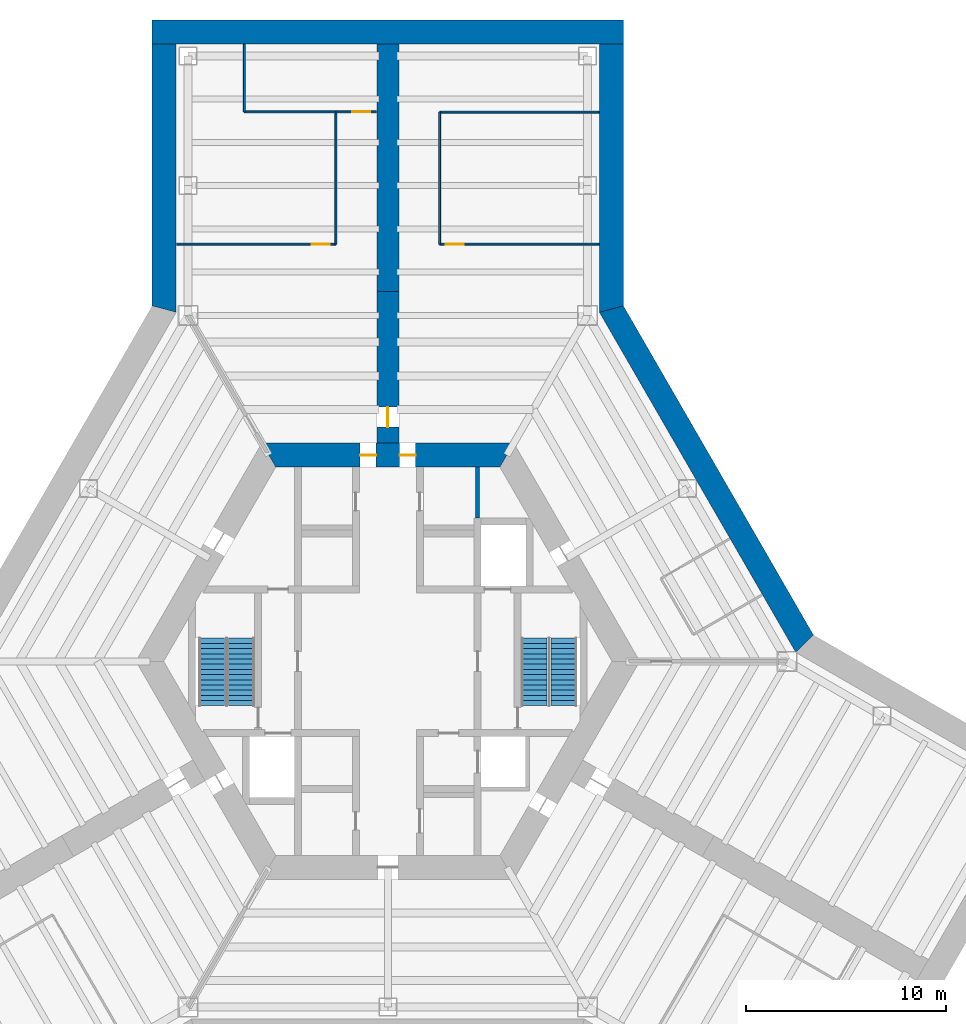
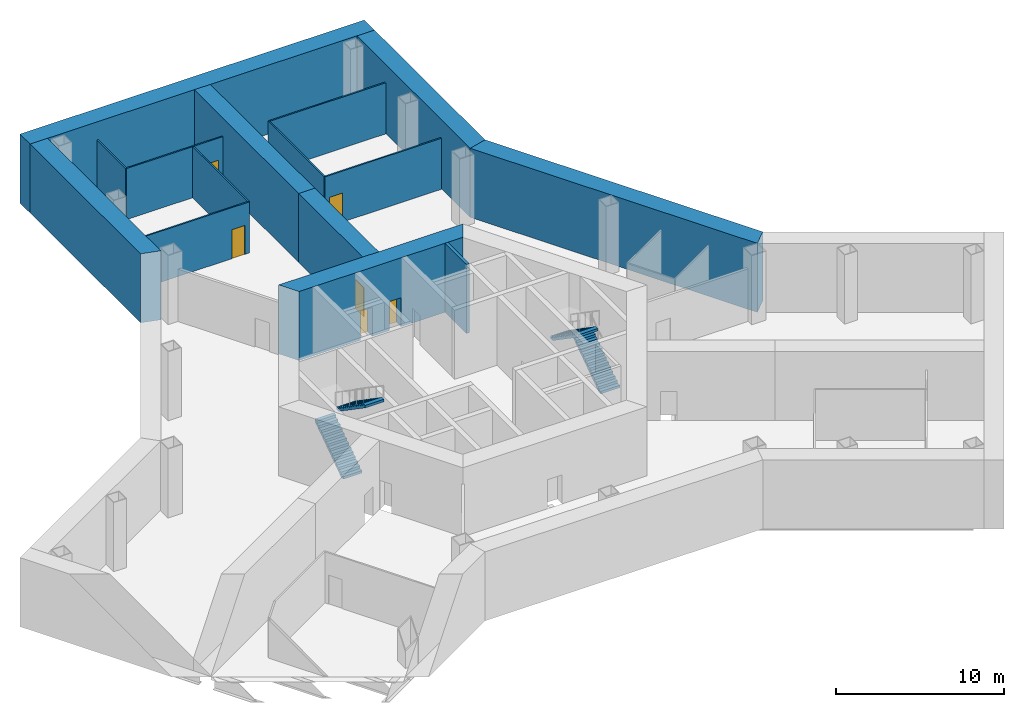
# One storey, part 6 of 7: 16 walls, 6 doors, 4 stair flights, 6 openings, 2 elements without a shape of their own.
"""IFC4 building model written with IfcOpenShell, lengths in metres."""

import ifcopenshell
import ifcopenshell.guid

model = None  # the IFC model being written
_history = None  # IfcOwnerHistory: only IFC2X3 demands one
_inside = {}  # id of a spatial element -> (the spatial element, [elements in it])
_under = {}  # id of a project, library or spatial element -> (it, [spatial elements below it])
_declared = {}  # id of a project -> (the project, [libraries it declares])
_typed = {}  # id of a type object -> (the type object, [elements of that type])
_made_of = {}  # id of a material, layer set ... -> (it, [elements and type objects made of it])


def new_model(schema):
    """Start an empty IFC model of exactly this schema.

    Asked for "IFC4X3", IfcOpenShell would pick the latest addendum, in which some entities
    have other attributes; the version numbers below select the first issue.
    IFC2X3 requires an IfcOwnerHistory on every rooted entity: one is made here for all.
    """
    global model, _history
    if schema == "IFC4X3":
        model = ifcopenshell.file(schema_version=(4, 3, 0, 0))
    else:
        model = ifcopenshell.file(schema=schema)
    _inside.clear()
    _under.clear()
    _declared.clear()
    _typed.clear()
    _made_of.clear()
    _history = None
    if model.schema == "IFC2X3":
        org = make("IfcOrganization", Name="unknown")
        user = make(
            "IfcPersonAndOrganization",
            ThePerson=make("IfcPerson", FamilyName="unknown"),
            TheOrganization=org,
        )
        app = make(
            "IfcApplication",
            ApplicationDeveloper=org,
            Version="unknown",
            ApplicationFullName="unknown",
            ApplicationIdentifier="unknown",
        )
        _history = make(
            "IfcOwnerHistory",
            OwningUser=user,
            OwningApplication=app,
            ChangeAction="ADDED",
            CreationDate=0,
        )
    return model


def make(cls, **values):
    """One entity of the class cls with the attributes given. An attribute that is None is left unset."""
    return model.create_entity(
        cls, **{name: value for name, value in values.items() if value is not None}
    )


def rooted(cls, **values):
    """An entity with a GlobalId (a new one), such as an element, a storey or a relation."""
    return make(cls, GlobalId=ifcopenshell.guid.new(), OwnerHistory=_history, **values)


def si_unit(unit_type, name, prefix=None):
    """IfcSIUnit, for example si_unit("LENGTHUNIT", "METRE", prefix="MILLI")."""
    return make("IfcSIUnit", UnitType=unit_type, Prefix=prefix, Name=name)


def assignment(units):
    """IfcUnitAssignment: the units of a project."""
    return None if units is None else make("IfcUnitAssignment", Units=units)


def point(xyz):
    """IfcCartesianPoint."""
    return None if xyz is None else make("IfcCartesianPoint", Coordinates=xyz)


def direction(xyz):
    """IfcDirection."""
    return None if xyz is None else make("IfcDirection", DirectionRatios=xyz)


def frame(location, z_axis=None, x_axis=None):
    """IfcAxis2Placement3D, a coordinate frame: its origin and axes. An axis left out is left unset."""
    return make(
        "IfcAxis2Placement3D",
        Location=point(location),
        Axis=direction(z_axis),
        RefDirection=direction(x_axis),
    )


def frame_2d(location, x_axis=None):
    """IfcAxis2Placement2D, a coordinate frame in the plane: its origin and x axis."""
    return make(
        "IfcAxis2Placement2D", Location=point(location), RefDirection=direction(x_axis)
    )


def origin():
    """The frame at (0, 0, 0) with its axes left unset."""
    return frame((0.0, 0.0, 0.0))


def place(relative_to, where):
    """IfcLocalPlacement: puts the frame where relative to a parent placement (None: the world)."""
    return make(
        "IfcLocalPlacement", PlacementRelTo=relative_to, RelativePlacement=where
    )


def context(
    kind, dimensions, precision=None, world=None, true_north=None, identifier=None
):
    """IfcGeometricRepresentationContext, for example the 3D "Model" context."""
    return make(
        "IfcGeometricRepresentationContext",
        ContextIdentifier=identifier,
        ContextType=kind,
        CoordinateSpaceDimension=dimensions,
        Precision=precision,
        WorldCoordinateSystem=world,
        TrueNorth=true_north,
    )


def subcontext(parent, identifier, kind, view, scale=None):
    """IfcGeometricRepresentationSubContext, for example "Body" below "Model"."""
    return make(
        "IfcGeometricRepresentationSubContext",
        ContextIdentifier=identifier,
        ContextType=kind,
        ParentContext=parent,
        TargetScale=scale,
        TargetView=view,
    )


def project(units=None, contexts=None):
    """IfcProject with its units and contexts."""
    return rooted(
        "IfcProject",
        Name="project",
        RepresentationContexts=contexts,
        UnitsInContext=assignment(units),
    )


def spatial(cls, under=None, at=None, **own):
    """A site, building, storey or space (cls), placed at a placement, below another one or the project."""
    s = rooted(cls, ObjectPlacement=at, **own)
    if under is not None:
        _under.setdefault(under.id(), (under, []))[1].append(s)
    return s


def polyline(points):
    """IfcPolyline through the points."""
    return make("IfcPolyline", Points=[point(p) for p in points])


def profile(cls, at=None, kind="AREA", **sizes):
    """A parametric profile (cls). Its sizes go by their IFC names, for example OverallWidth=200.0."""
    return make(cls, ProfileType=kind, Position=at, **sizes)


def rectangle(**sizes):
    """IfcRectangleProfileDef."""
    return profile("IfcRectangleProfileDef", **sizes)


def outline(outer, holes=None, kind="AREA"):
    """IfcArbitraryClosedProfileDef: a profile drawn as a closed curve; with holes, ...WithVoids."""
    if holes is None:
        return make("IfcArbitraryClosedProfileDef", ProfileType=kind, OuterCurve=outer)
    return make(
        "IfcArbitraryProfileDefWithVoids",
        ProfileType=kind,
        OuterCurve=outer,
        InnerCurves=holes,
    )


def extrude(swept, where, along, depth):
    """IfcExtrudedAreaSolid: the profile swept, set in the frame where, extruded along a direction by depth."""
    return make(
        "IfcExtrudedAreaSolid",
        SweptArea=swept,
        Position=where,
        ExtrudedDirection=direction(along),
        Depth=depth,
    )


def shape(context_of_items, identifier, shape_type, items):
    """IfcShapeRepresentation: the items that make up one representation, for example the "Body"."""
    return make(
        "IfcShapeRepresentation",
        ContextOfItems=context_of_items,
        RepresentationIdentifier=identifier,
        RepresentationType=shape_type,
        Items=items,
    )


def material(Name=None, Category=None):
    """IfcMaterial."""
    return make("IfcMaterial", Name=Name, Category=Category)


def layer(
    of_material, thickness, ventilated=None, Name=None, Category=None, Priority=None
):
    """IfcMaterialLayer: one layer of a wall or slab, of a material (None: an air gap)."""
    return make(
        "IfcMaterialLayer",
        Material=of_material,
        LayerThickness=thickness,
        IsVentilated=ventilated,
        Name=Name,
        Category=Category,
        Priority=Priority,
    )


def layer_set(layers, Name=None):
    """IfcMaterialLayerSet."""
    return make("IfcMaterialLayerSet", MaterialLayers=layers, LayerSetName=Name)


def made_of(thing, what):
    """Note that an element or type object is made of a material, layer set ...; save() writes the relation."""
    if what is not None:
        _made_of.setdefault(what.id(), (what, []))[1].append(thing)
    return thing


def type_object(cls, material=None, **own):
    """A type object (cls), such as IfcWallType, which elements share."""
    return made_of(rooted(cls, **own), material)


def element(
    cls,
    number,
    at=None,
    inside=None,
    cuts=None,
    type_object=None,
    material=None,
    context=None,
    identifier="Body",
    shape_type=None,
    held_by="IfcProductDefinitionShape",
    body=None,
    shapes=None,
    **own,
):
    """One element of the class cls, such as IfcWall. Its Tag is "e" and its number.

    at: its placement. inside: the storey or other place that contains it. cuts: it is an
    opening in that element (IfcRelVoidsElement). A single representation is given by context,
    identifier, shape_type and body (its items); several are given by shapes. held_by: the class
    of the entity that holds the representations. save() writes the other relations.
    """
    e = rooted(cls, Tag="e%d" % number, ObjectPlacement=at, **own)
    if body is not None:
        shapes = [shape(context, identifier, shape_type, body)]
    if shapes is not None:
        e.Representation = make(held_by, Representations=shapes)
    if inside is not None:
        _inside.setdefault(inside.id(), (inside, []))[1].append(e)
    if cuts is not None:
        rooted(
            "IfcRelVoidsElement", RelatingBuildingElement=cuts, RelatedOpeningElement=e
        )
    if type_object is not None:
        _typed.setdefault(type_object.id(), (type_object, []))[1].append(e)
    return made_of(e, material)


def fill(opening, filler):
    """IfcRelFillsElement: the door or window that sits in an opening."""
    return rooted(
        "IfcRelFillsElement",
        RelatingOpeningElement=opening,
        RelatedBuildingElement=filler,
    )


def aggregate(whole, parts):
    """IfcRelAggregates: a whole, such as a stair, and the parts it consists of."""
    return rooted("IfcRelAggregates", RelatingObject=whole, RelatedObjects=parts)


def save(model, path):
    """Write the relations noted so far, then the file.

    IfcRelAggregates (storeys below a building ...), IfcRelContainedInSpatialStructure (elements
    in a storey), IfcRelDefinesByType, IfcRelAssociatesMaterial and IfcRelDeclares: one each for
    every whole, place, type object, material and project.
    """
    for whole, parts in _under.values():
        aggregate(whole, parts)
    for where, things in _inside.values():
        rooted(
            "IfcRelContainedInSpatialStructure",
            RelatedElements=things,
            RelatingStructure=where,
        )
    for kind, things in _typed.values():
        rooted("IfcRelDefinesByType", RelatedObjects=things, RelatingType=kind)
    for what, things in _made_of.values():
        rooted("IfcRelAssociatesMaterial", RelatedObjects=things, RelatingMaterial=what)
    for by, libraries in _declared.values():
        rooted("IfcRelDeclares", RelatingContext=by, RelatedDefinitions=libraries)
    model.write(path)


model = new_model("IFC4")

# Units and contexts
model_context = context("Model", 3, precision=1e-05, world=origin(), true_north=direction((0.0, 1.0)))
body_context = subcontext(model_context, "Body", "Model", "MODEL_VIEW")
ifc_project = project(units=[si_unit("LENGTHUNIT", "METRE"), si_unit("AREAUNIT", "SQUARE_METRE"), si_unit("VOLUMEUNIT", "CUBIC_METRE"), si_unit("PLANEANGLEUNIT", "RADIAN"), si_unit("MASSUNIT", "GRAM", prefix="KILO")], contexts=[model_context])

# Site, building, storey
site_placement = place(None, origin())
site = spatial("IfcSite", under=ifc_project, at=site_placement, CompositionType="ELEMENT")
building_placement = place(site_placement, origin())
building = spatial("IfcBuilding", under=site, at=building_placement, Name="Kasaneha Research Tower", CompositionType="ELEMENT")
storey_placement = place(building_placement, frame((0.0, 0.0, -5.0)))
storey = spatial("IfcBuildingStorey", under=building, at=storey_placement, Name="B1", CompositionType="ELEMENT", Elevation=-5.0)

# Walls
ifc_material_1 = material(Name="Concrete Fc60", Category="concrete")
ifc_layer_1 = layer(ifc_material_1, 1.199951171875)
ifc_layer_set_1 = layer_set([ifc_layer_1], Name="Basement retaining wall 1200 Fc60")
wall_type_1 = type_object("IfcWallType", Name="Basement retaining wall 1200 Fc60", PredefinedType="SOLIDWALL", material=ifc_layer_set_1)
wall_1_placement = place(storey_placement, frame((-11.199951171875, 17.64208984375, 0.0), z_axis=(0.0, 0.0, 1.0), x_axis=(0.0, 1.0, 0.0)))
element("IfcWall", 1, at=wall_1_placement, inside=storey, type_object=wall_type_1, Name="Retaining wall 3 B1", PredefinedType="SOLIDWALL", context=body_context, shape_type="SweptSolid", body=[
    extrude(outline(polyline([(-0.160888671875, -0.60009765625), (13.2783203125, -0.60009765625), (13.2783203125, 0.60009765625), (0.160888671875, 0.60009765625), (-0.160888671875, -0.60009765625)])), origin(), (0.0, 0.0, 1.0), 5.0),
])
wall_2_placement = place(storey_placement, frame((-11.800048828125, 31.5205078125, 0.0), z_axis=(0.0, 0.0, 1.0), x_axis=(1.0, 0.0, 0.0)))
element("IfcWall", 2, at=wall_2_placement, inside=storey, type_object=wall_type_1, Name="Retaining wall 4 B1", PredefinedType="SOLIDWALL", context=body_context, shape_type="SweptSolid", body=[
    extrude(rectangle(XDim=23.60009765625, YDim=1.199951171875, at=frame_2d((11.800048828125, 0.0))), origin(), (0.0, 0.0, 1.0), 5.0),
])
wall_3_placement = place(storey_placement, frame((11.199951171875, 30.92041015625, 0.0), z_axis=(0.0, 0.0, 1.0), x_axis=(0.0, -1.0, 0.0)))
element("IfcWall", 3, at=wall_3_placement, inside=storey, type_object=wall_type_1, Name="Retaining wall 5 B1", PredefinedType="SOLIDWALL", context=body_context, shape_type="SweptSolid", body=[
    extrude(outline(polyline([(0.0, -0.60009765625), (13.439208984375, -0.60009765625), (13.117431640625, 0.60009765625), (0.0, 0.60009765625), (0.0, -0.60009765625)])), origin(), (0.0, 0.0, 1.0), 5.0),
])
wall_4_placement = place(storey_placement, frame((11.199951171875, 17.64208984375, 0.0), z_axis=(0.0, 0.0, 1.0), x_axis=(0.499998307868, -0.866026380735, 0.0)))
element("IfcWall", 4, at=wall_4_placement, inside=storey, type_object=wall_type_1, Name="Retaining wall 6 B1", PredefinedType="SOLIDWALL", context=body_context, shape_type="SweptSolid", body=[
    extrude(outline(polyline([(-0.160888671875, -0.60009765625), (19.517822265625, -0.60009765625), (19.196044921875, 0.60009765625), (0.160888671875, 0.60009765625), (-0.160888671875, -0.60009765625)])), origin(), (0.0, 0.0, 1.0), 5.0),
])

# Wall, openings, doors
ifc_material_2 = material(Name="Concrete Fc100", Category="concrete")
ifc_layer_2 = layer(ifc_material_2, 1.199951171875)
ifc_layer_set_2 = layer_set([ifc_layer_2], Name="Core wall 1200 Fc100")
wall_type_2 = type_object("IfcWallType", Name="Core wall 1200 Fc100", PredefinedType="SHEAR", material=ifc_layer_set_2)
wall_5_placement = place(storey_placement, frame((5.961181640625, 10.324951171875, 0.0), z_axis=(0.0, 0.0, 1.0), x_axis=(-1.0, 0.0, 0.0)))
wall_5 = element("IfcWall", 5, at=wall_5_placement, inside=storey, type_object=wall_type_2, Name="Core wall 090 B1", PredefinedType="SHEAR", context=body_context, shape_type="SweptSolid", body=[
    extrude(outline(polyline([(-0.346435546875, -0.60009765625), (4.57373046875, -0.60009765625), (5.373779296875, -0.60009765625), (6.548583984375, -0.60009765625), (7.3486328125, -0.60009765625), (12.268798828125, -0.60009765625), (11.575927734375, 0.60009765625), (7.3486328125, 0.60009765625), (6.548583984375, 0.60009765625), (5.373779296875, 0.60009765625), (4.57373046875, 0.60009765625), (0.346435546875, 0.60009765625), (-0.346435546875, -0.60009765625)])), origin(), (0.0, 0.0, 1.0), 5.0),
])
opening_1_placement = place(wall_5_placement, frame((6.548583984375, 0.0, 0.0)))
opening_1 = element("IfcOpeningElement", 6, at=opening_1_placement, cuts=wall_5, Name="Opening B1-D01", PredefinedType="OPENING", context=body_context, shape_type="SweptSolid", body=[
    extrude(rectangle(XDim=0.800048828125, YDim=2.10009765625, at=frame_2d((0.39990234375, 1.050048828125))), frame((0.0, 0.60986328125, 0.0), z_axis=(0.0, -1.0, 0.0), x_axis=(1.0, 0.0, 0.0)), (0.0, 0.0, 1.0), 1.219970703125),
])
opening_2_placement = place(wall_5_placement, frame((4.57373046875, 0.0, 0.0)))
opening_2 = element("IfcOpeningElement", 7, at=opening_2_placement, cuts=wall_5, Name="Opening B1-D02", PredefinedType="OPENING", context=body_context, shape_type="SweptSolid", body=[
    extrude(rectangle(XDim=0.800048828125, YDim=2.10009765625, at=frame_2d((0.39990234375, 1.050048828125))), frame((0.0, 0.60986328125, 0.0), z_axis=(0.0, -1.0, 0.0), x_axis=(1.0, 0.0, 0.0)), (0.0, 0.0, 1.0), 1.219970703125),
])
ifc_material_3 = material(Name="Steel", Category="steel")
door_type_1 = type_object("IfcDoorType", Name="Core service door FD20 800x2100", OperationType="NOTDEFINED", PredefinedType="DOOR", material=ifc_material_3)
door_1_placement = place(opening_1_placement, origin())
door_1 = element("IfcDoor", 8, at=door_1_placement, inside=storey, type_object=door_type_1, Name="Core door north 1 B1-D01", OperationType="SINGLE_SWING_RIGHT", OverallHeight=2.10009765625, OverallWidth=0.800048828125, PredefinedType="DOOR", context=body_context, shape_type="SweptSolid", body=[
    extrude(rectangle(XDim=0.800048828125, YDim=2.10009765625, at=frame_2d((0.39990234375, 1.050048828125))), frame((0.0, 0.02490234375, 0.0), z_axis=(0.0, -1.0, 0.0), x_axis=(1.0, 0.0, 0.0)), (0.0, 0.0, 1.0), 0.050048828125),
])
fill(opening_1, door_1)
door_2_placement = place(opening_2_placement, origin())
door_2 = element("IfcDoor", 9, at=door_2_placement, inside=storey, type_object=door_type_1, Name="Core door north 2 B1-D02", OperationType="SINGLE_SWING_LEFT", OverallHeight=2.10009765625, OverallWidth=0.800048828125, PredefinedType="DOOR", context=body_context, shape_type="SweptSolid", body=[
    extrude(rectangle(XDim=0.800048828125, YDim=2.10009765625, at=frame_2d((0.39990234375, 1.050048828125))), frame((0.0, 0.02490234375, 0.0), z_axis=(0.0, -1.0, 0.0), x_axis=(1.0, 0.0, 0.0)), (0.0, 0.0, 1.0), 0.050048828125),
])
fill(opening_2, door_2)

# Walls
ifc_material_4 = material(Name="Gypsum board on steel studs, one layer each side", Category="steel")
ifc_layer_3 = layer(ifc_material_4, 0.10009765625)
ifc_layer_set_3 = layer_set([ifc_layer_3], Name="Office partition 100")
wall_type_3 = type_object("IfcWallType", Name="Office partition 100", PredefinedType="PARTITIONING", material=ifc_layer_set_3)
wall_6_placement = place(storey_placement, frame((2.60009765625, 20.89111328125, 0.0), z_axis=(0.0, 0.0, 1.0), x_axis=(0.0, 1.0, 0.0)))
element("IfcWall", 10, at=wall_6_placement, inside=storey, type_object=wall_type_3, Name="Office partition FAE01 B1", PredefinedType="PARTITIONING", context=body_context, shape_type="SweptSolid", body=[
    extrude(rectangle(XDim=6.61962890625, YDim=0.10009765625, at=frame_2d((3.309814453125, 0.0))), origin(), (0.0, 0.0, 1.0), 3.699951171875),
])
wall_7_placement = place(storey_placement, frame((2.60009765625, 27.5107421875, 0.0), z_axis=(0.0, 0.0, 1.0), x_axis=(1.0, 0.0, 0.0)))
element("IfcWall", 11, at=wall_7_placement, inside=storey, type_object=wall_type_3, Name="Office partition FAE02 B1", PredefinedType="PARTITIONING", context=body_context, shape_type="SweptSolid", body=[
    extrude(rectangle(XDim=7.97998046875, YDim=0.10009765625, at=frame_2d((3.989990234375, 0.0))), origin(), (0.0, 0.0, 1.0), 3.699951171875),
])

# Wall, opening, door
wall_8_placement = place(storey_placement, frame((10.580078125, 20.89111328125, 0.0), z_axis=(0.0, 0.0, 1.0), x_axis=(-1.0, 0.0, 0.0)))
wall_8 = element("IfcWall", 12, at=wall_8_placement, inside=storey, type_object=wall_type_3, Name="Office partition FAE03 B1", PredefinedType="PARTITIONING", context=body_context, shape_type="SweptSolid", body=[
    extrude(rectangle(XDim=7.97998046875, YDim=0.10009765625, at=frame_2d((3.989990234375, 0.0))), origin(), (0.0, 0.0, 1.0), 3.699951171875),
])
opening_3_placement = place(wall_8_placement, frame((6.780029296875, 0.0, 0.0)))
opening_3 = element("IfcOpeningElement", 13, at=opening_3_placement, cuts=wall_8, Name="Opening B1-D23", PredefinedType="OPENING", context=body_context, shape_type="SweptSolid", body=[
    extrude(rectangle(XDim=0.89990234375, YDim=2.10009765625, at=frame_2d((0.449951171875, 1.050048828125))), frame((0.0, 0.06005859375, 0.0), z_axis=(0.0, -1.0, 0.0), x_axis=(1.0, 0.0, 0.0)), (0.0, 0.0, 1.0), 0.1201171875),
])
ifc_material_5 = material(Name="Timber veneer", Category="wood")
door_type_2 = type_object("IfcDoorType", Name="Office door 900x2100", OperationType="SINGLE_SWING_LEFT", PredefinedType="DOOR", material=ifc_material_5)
door_3_placement = place(opening_3_placement, origin())
door_3 = element("IfcDoor", 14, at=door_3_placement, inside=storey, type_object=door_type_2, Name="Refuse store door B1-D23", OperationType="SINGLE_SWING_RIGHT", OverallHeight=2.10009765625, OverallWidth=0.89990234375, PredefinedType="DOOR", context=body_context, shape_type="SweptSolid", body=[
    extrude(rectangle(XDim=0.89990234375, YDim=2.10009765625, at=frame_2d((0.449951171875, 1.050048828125))), frame((0.0, 0.02490234375, 0.0), z_axis=(0.0, -1.0, 0.0), x_axis=(1.0, 0.0, 0.0)), (0.0, 0.0, 1.0), 0.050048828125),
])
fill(opening_3, door_3)

# Walls
wall_9_placement = place(storey_placement, frame((-7.18359375, 30.91943359375, 0.0), z_axis=(0.0, 0.0, 1.0), x_axis=(7.182876e-05, -0.99999999742, 0.0)))
element("IfcWall", 15, at=wall_9_placement, inside=storey, type_object=wall_type_3, Name="Office partition FAW01 B1", PredefinedType="PARTITIONING", context=body_context, shape_type="SweptSolid", body=[
    extrude(rectangle(XDim=3.39892578125, YDim=0.10009765625, at=frame_2d((1.699462890625, 0.0))), origin(), (0.0, 0.0, 1.0), 3.699951171875),
])
wall_10_placement = place(storey_placement, frame((-7.183349609375, 27.5205078125, 0.0), z_axis=(0.0, 0.0, 1.0), x_axis=(0.999999374603, -0.00111838882, 0.0)))
element("IfcWall", 16, at=wall_10_placement, inside=storey, type_object=wall_type_3, Name="Office partition FAW02 B1", PredefinedType="PARTITIONING", context=body_context, shape_type="SweptSolid", body=[
    extrude(rectangle(XDim=4.584228515625, YDim=0.10009765625, at=frame_2d((2.2919921875, 0.0))), origin(), (0.0, 0.0, 1.0), 3.699951171875),
])
wall_11_placement = place(storey_placement, frame((-2.60400390625, 27.520263671875, 0.0), z_axis=(0.0, 0.0, 1.0), x_axis=(0.000589253387, -0.99999982639, 0.0)))
element("IfcWall", 17, at=wall_11_placement, inside=storey, type_object=wall_type_3, Name="Office partition FAW03 B1", PredefinedType="PARTITIONING", context=body_context, shape_type="SweptSolid", body=[
    extrude(rectangle(XDim=6.629150390625, YDim=0.10009765625, at=frame_2d((3.314453125, 0.0))), origin(), (0.0, 0.0, 1.0), 3.699951171875),
])

# Wall, opening, door
wall_12_placement = place(storey_placement, frame((-2.60009765625, 20.89111328125, 0.0), z_axis=(0.0, 0.0, 1.0), x_axis=(-1.0, 0.0, 0.0)))
wall_12 = element("IfcWall", 18, at=wall_12_placement, inside=storey, type_object=wall_type_3, Name="Office partition FAW04 B1", PredefinedType="PARTITIONING", context=body_context, shape_type="SweptSolid", body=[
    extrude(rectangle(XDim=7.97998046875, YDim=0.10009765625, at=frame_2d((3.989990234375, 0.0))), origin(), (0.0, 0.0, 1.0), 3.699951171875),
])
opening_4_placement = place(wall_12_placement, frame((0.300048828125, 0.0, 0.0)))
opening_4 = element("IfcOpeningElement", 19, at=opening_4_placement, cuts=wall_12, Name="Opening B1-D25", PredefinedType="OPENING", context=body_context, shape_type="SweptSolid", body=[
    extrude(rectangle(XDim=0.89990234375, YDim=2.10009765625, at=frame_2d((0.449951171875, 1.050048828125))), frame((0.0, 0.06005859375, 0.0), z_axis=(0.0, -1.0, 0.0), x_axis=(1.0, 0.0, 0.0)), (0.0, 0.0, 1.0), 0.1201171875),
])
door_4_placement = place(opening_4_placement, origin())
door_4 = element("IfcDoor", 20, at=door_4_placement, inside=storey, type_object=door_type_2, Name="Bicycle store door B1-D25", OperationType="SINGLE_SWING_LEFT", OverallHeight=2.10009765625, OverallWidth=0.89990234375, PredefinedType="DOOR", context=body_context, shape_type="SweptSolid", body=[
    extrude(rectangle(XDim=0.89990234375, YDim=2.10009765625, at=frame_2d((0.449951171875, 1.050048828125))), frame((0.0, 0.02490234375, 0.0), z_axis=(0.0, -1.0, 0.0), x_axis=(1.0, 0.0, 0.0)), (0.0, 0.0, 1.0), 0.050048828125),
])
fill(opening_4, door_4)

wall_13_placement = place(storey_placement, frame((-0.570068359375, 27.5205078125, 0.0), z_axis=(0.0, 0.0, 1.0), x_axis=(-1.0, 0.0, 0.0)))
wall_13 = element("IfcWall", 21, at=wall_13_placement, inside=storey, type_object=wall_type_3, Name="Office partition FAW05 B1", PredefinedType="PARTITIONING", context=body_context, shape_type="SweptSolid", body=[
    extrude(rectangle(XDim=2.033935546875, YDim=0.10009765625, at=frame_2d((1.01708984375, 0.0))), origin(), (0.0, 0.0, 1.0), 3.699951171875),
])
opening_5_placement = place(wall_13_placement, frame((0.300048828125, 0.0, 0.0)))
opening_5 = element("IfcOpeningElement", 22, at=opening_5_placement, cuts=wall_13, Name="Opening B1-D26", PredefinedType="OPENING", context=body_context, shape_type="SweptSolid", body=[
    extrude(rectangle(XDim=0.89990234375, YDim=2.10009765625, at=frame_2d((0.449951171875, 1.050048828125))), frame((0.0, 0.06005859375, 0.0), z_axis=(0.0, -1.0, 0.0), x_axis=(1.0, 0.0, 0.0)), (0.0, 0.0, 1.0), 0.1201171875),
])
door_5_placement = place(opening_5_placement, origin())
door_5 = element("IfcDoor", 23, at=door_5_placement, inside=storey, type_object=door_type_2, Name="Locker room door B1-D26", OperationType="SINGLE_SWING_LEFT", OverallHeight=2.10009765625, OverallWidth=0.89990234375, PredefinedType="DOOR", context=body_context, shape_type="SweptSolid", body=[
    extrude(rectangle(XDim=0.89990234375, YDim=2.10009765625, at=frame_2d((0.449951171875, 1.050048828125))), frame((0.0, 0.02490234375, 0.0), z_axis=(0.0, -1.0, 0.0), x_axis=(1.0, 0.0, 0.0)), (0.0, 0.0, 1.0), 0.050048828125),
])
fill(opening_5, door_5)

# Wall
ifc_material_6 = material(Name="Concrete block", Category="concrete")
ifc_layer_4 = layer(ifc_material_6, 0.199951171875)
ifc_layer_set_4 = layer_set([ifc_layer_4], Name="Riser enclosure wall 200")
wall_type_4 = type_object("IfcWallType", Name="Riser enclosure wall 200", PredefinedType="STANDARD", material=ifc_layer_set_4)
wall_14_placement = place(storey_placement, frame((4.5, 7.175048828125, 0.0), z_axis=(0.0, 0.0, 1.0), x_axis=(0.0, 1.0, 0.0)))
element("IfcWall", 24, at=wall_14_placement, inside=storey, type_object=wall_type_4, Name="Riser enclosure wall B1", PredefinedType="STANDARD", context=body_context, shape_type="SweptSolid", body=[
    extrude(rectangle(XDim=2.550048828125, YDim=0.199951171875, at=frame_2d((1.27490234375, 0.0))), origin(), (0.0, 0.0, 1.0), 5.0),
])

# Wall, opening, door
ifc_material_7 = material(Name="Concrete Fc100", Category="concrete")
ifc_layer_5 = layer(ifc_material_7, 1.10009765625)
ifc_layer_set_5 = layer_set([ifc_layer_5], Name="Spine wall 1100 Fc100")
wall_type_5 = type_object("IfcWallType", Name="Spine wall 1100 Fc100", PredefinedType="SHEAR", material=ifc_layer_set_5)
wall_15_placement = place(storey_placement, frame((0.0, 10.925048828125, 0.0), z_axis=(0.0, 0.0, 1.0), x_axis=(0.0, 1.0, 0.0)))
wall_15 = element("IfcWall", 25, at=wall_15_placement, inside=storey, type_object=wall_type_5, Name="Spine wall A B1", PredefinedType="SHEAR", context=body_context, shape_type="SweptSolid", body=[
    extrude(rectangle(XDim=7.595458984375, YDim=1.10009765625, at=frame_2d((3.7978515625, 0.0))), origin(), (0.0, 0.0, 1.0), 5.0),
])
opening_6_placement = place(wall_15_placement, frame((0.800048828125, 0.0, 0.0)))
opening_6 = element("IfcOpeningElement", 26, at=opening_6_placement, cuts=wall_15, Name="Opening B1-D17", PredefinedType="OPENING", context=body_context, shape_type="SweptSolid", body=[
    extrude(rectangle(XDim=1.0, YDim=2.10009765625, at=frame_2d((0.5, 1.050048828125))), frame((0.0, 0.56005859375, 0.0), z_axis=(0.0, -1.0, 0.0), x_axis=(1.0, 0.0, 0.0)), (0.0, 0.0, 1.0), 1.1201171875),
])
ifc_material_8 = material(Name="Steel", Category="steel")
door_type_3 = type_object("IfcDoorType", Name="Specified fire door FD60 1000x2100", OperationType="NOTDEFINED", PredefinedType="DOOR", material=ifc_material_8)
door_6_placement = place(opening_6_placement, origin())
door_6 = element("IfcDoor", 27, at=door_6_placement, inside=storey, type_object=door_type_3, Name="Spine doorway A B1-D17", OperationType="SINGLE_SWING_LEFT", OverallHeight=2.10009765625, OverallWidth=1.0, PredefinedType="DOOR", context=body_context, shape_type="SweptSolid", body=[
    extrude(rectangle(XDim=1.0, YDim=2.10009765625, at=frame_2d((0.5, 1.050048828125))), frame((0.0, 0.02490234375, 0.0), z_axis=(0.0, -1.0, 0.0), x_axis=(1.0, 0.0, 0.0)), (0.0, 0.0, 1.0), 0.050048828125),
])
fill(opening_6, door_6)

# Wall
wall_16_placement = place(storey_placement, frame((0.0, 18.5205078125, 0.0), z_axis=(0.0, 0.0, 1.0), x_axis=(0.0, 1.0, 0.0)))
element("IfcWall", 28, at=wall_16_placement, inside=storey, type_object=wall_type_5, Name="Spine wall A wing B1", PredefinedType="SHEAR", context=body_context, shape_type="SweptSolid", body=[
    extrude(rectangle(XDim=12.39990234375, YDim=1.10009765625, at=frame_2d((6.199951171875, 0.0))), origin(), (0.0, 0.0, 1.0), 5.0),
])

# Stair, stair flights
ifc_material_9 = material(Name="Concrete Fc24", Category="concrete")
stair_type = type_object("IfcStairType", Name="Half-turn stair 28 risers", PredefinedType="HALF_TURN_STAIR", material=ifc_material_9)
stair_1_placement = place(storey_placement, origin())
stair_1 = element("IfcStair", 29, at=stair_1_placement, inside=storey, type_object=stair_type, Name="Stair 1 B1", PredefinedType="HALF_TURN_STAIR")
ifc_material_10 = material(Name="Concrete Fc24", Category="concrete")
stair_flight_type = type_object("IfcStairFlightType", Name="Stair flight 14 risers 178.6", PredefinedType="STRAIGHT", material=ifc_material_10)
stair_flight_1_placement = place(storey_placement, frame((8.824951171875, -2.22509765625, 0.0), z_axis=(0.0, 0.0, 1.0), x_axis=(0.0, 1.0, 0.0)))
stair_flight_1 = element("IfcStairFlight", 30, at=stair_flight_1_placement, type_object=stair_flight_type, Name="ST1-28R flight 1", NumberOfRisers=14, NumberOfTreads=13, PredefinedType="STRAIGHT", RiserHeight=0.178571429, TreadLength=0.26, context=body_context, shape_type="SweptSolid", body=[
    extrude(outline(polyline([(0.0, 0.0), (0.0, 0.178466796875), (0.260009765625, 0.178466796875), (0.260009765625, 0.357177734375), (0.52001953125, 0.357177734375), (0.52001953125, 0.53564453125), (0.780029296875, 0.53564453125), (0.780029296875, 0.71435546875), (1.0400390625, 0.71435546875), (1.0400390625, 0.892822265625), (1.300048828125, 0.892822265625), (1.300048828125, 1.071533203125), (1.56005859375, 1.071533203125), (1.56005859375, 1.25), (1.820068359375, 1.25), (1.820068359375, 1.428466796875), (2.080078125, 1.428466796875), (2.080078125, 1.607177734375), (2.340087890625, 1.607177734375), (2.340087890625, 1.78564453125), (2.60009765625, 1.78564453125), (2.60009765625, 1.96435546875), (2.860107421875, 1.96435546875), (2.860107421875, 2.142822265625), (3.1201171875, 2.142822265625), (3.1201171875, 2.321533203125), (3.3798828125, 2.321533203125), (3.3798828125, 2.5), (3.3798828125, 2.1396484375), (0.264892578125, 0.0), (0.0, 0.0)])), frame((0.0, 0.64990234375, 0.0), z_axis=(0.0, -1.0, 0.0), x_axis=(1.0, 0.0, 0.0)), (0.0, 0.0, 1.0), 1.300048828125),
])
stair_flight_2_placement = place(storey_placement, frame((7.324951171875, 1.155029296875, 2.5), z_axis=(0.0, 0.0, 1.0), x_axis=(0.0, -1.0, 0.0)))
stair_flight_2 = element("IfcStairFlight", 31, at=stair_flight_2_placement, type_object=stair_flight_type, Name="ST1-28R flight 2", NumberOfRisers=14, NumberOfTreads=13, PredefinedType="STRAIGHT", RiserHeight=0.178571429, TreadLength=0.26, context=body_context, shape_type="SweptSolid", body=[
    extrude(outline(polyline([(0.0, 0.0), (0.0, 0.178466796875), (0.260009765625, 0.178466796875), (0.260009765625, 0.357177734375), (0.52001953125, 0.357177734375), (0.52001953125, 0.53564453125), (0.780029296875, 0.53564453125), (0.780029296875, 0.71435546875), (1.0400390625, 0.71435546875), (1.0400390625, 0.892822265625), (1.300048828125, 0.892822265625), (1.300048828125, 1.071533203125), (1.56005859375, 1.071533203125), (1.56005859375, 1.25), (1.820068359375, 1.25), (1.820068359375, 1.428466796875), (2.080078125, 1.428466796875), (2.080078125, 1.607177734375), (2.340087890625, 1.607177734375), (2.340087890625, 1.78564453125), (2.60009765625, 1.78564453125), (2.60009765625, 1.96435546875), (2.860107421875, 1.96435546875), (2.860107421875, 2.142822265625), (3.1201171875, 2.142822265625), (3.1201171875, 2.321533203125), (3.3798828125, 2.321533203125), (3.3798828125, 2.5), (3.3798828125, 2.1396484375), (0.264892578125, 0.0), (0.0, 0.0)])), frame((0.0, 0.64990234375, 0.0), z_axis=(0.0, -1.0, 0.0), x_axis=(1.0, 0.0, 0.0)), (0.0, 0.0, 1.0), 1.300048828125),
])
aggregate(stair_1, [stair_flight_1, stair_flight_2])

stair_2_placement = place(storey_placement, origin())
stair_2 = element("IfcStair", 32, at=stair_2_placement, inside=storey, type_object=stair_type, Name="Stair 2 B1", PredefinedType="HALF_TURN_STAIR")
stair_flight_3_placement = place(storey_placement, frame((-8.824951171875, -2.22509765625, 0.0), z_axis=(0.0, 0.0, 1.0), x_axis=(0.0, 1.0, 0.0)))
stair_flight_3 = element("IfcStairFlight", 33, at=stair_flight_3_placement, type_object=stair_flight_type, Name="ST2-28R flight 1", NumberOfRisers=14, NumberOfTreads=13, PredefinedType="STRAIGHT", RiserHeight=0.178571429, TreadLength=0.26, context=body_context, shape_type="SweptSolid", body=[
    extrude(outline(polyline([(0.0, 0.0), (0.0, 0.178466796875), (0.260009765625, 0.178466796875), (0.260009765625, 0.357177734375), (0.52001953125, 0.357177734375), (0.52001953125, 0.53564453125), (0.780029296875, 0.53564453125), (0.780029296875, 0.71435546875), (1.0400390625, 0.71435546875), (1.0400390625, 0.892822265625), (1.300048828125, 0.892822265625), (1.300048828125, 1.071533203125), (1.56005859375, 1.071533203125), (1.56005859375, 1.25), (1.820068359375, 1.25), (1.820068359375, 1.428466796875), (2.080078125, 1.428466796875), (2.080078125, 1.607177734375), (2.340087890625, 1.607177734375), (2.340087890625, 1.78564453125), (2.60009765625, 1.78564453125), (2.60009765625, 1.96435546875), (2.860107421875, 1.96435546875), (2.860107421875, 2.142822265625), (3.1201171875, 2.142822265625), (3.1201171875, 2.321533203125), (3.3798828125, 2.321533203125), (3.3798828125, 2.5), (3.3798828125, 2.1396484375), (0.264892578125, 0.0), (0.0, 0.0)])), frame((0.0, 0.64990234375, 0.0), z_axis=(0.0, -1.0, 0.0), x_axis=(1.0, 0.0, 0.0)), (0.0, 0.0, 1.0), 1.300048828125),
])
stair_flight_4_placement = place(storey_placement, frame((-7.324951171875, 1.155029296875, 2.5), z_axis=(0.0, 0.0, 1.0), x_axis=(0.0, -1.0, 0.0)))
stair_flight_4 = element("IfcStairFlight", 34, at=stair_flight_4_placement, type_object=stair_flight_type, Name="ST2-28R flight 2", NumberOfRisers=14, NumberOfTreads=13, PredefinedType="STRAIGHT", RiserHeight=0.178571429, TreadLength=0.26, context=body_context, shape_type="SweptSolid", body=[
    extrude(outline(polyline([(0.0, 0.0), (0.0, 0.178466796875), (0.260009765625, 0.178466796875), (0.260009765625, 0.357177734375), (0.52001953125, 0.357177734375), (0.52001953125, 0.53564453125), (0.780029296875, 0.53564453125), (0.780029296875, 0.71435546875), (1.0400390625, 0.71435546875), (1.0400390625, 0.892822265625), (1.300048828125, 0.892822265625), (1.300048828125, 1.071533203125), (1.56005859375, 1.071533203125), (1.56005859375, 1.25), (1.820068359375, 1.25), (1.820068359375, 1.428466796875), (2.080078125, 1.428466796875), (2.080078125, 1.607177734375), (2.340087890625, 1.607177734375), (2.340087890625, 1.78564453125), (2.60009765625, 1.78564453125), (2.60009765625, 1.96435546875), (2.860107421875, 1.96435546875), (2.860107421875, 2.142822265625), (3.1201171875, 2.142822265625), (3.1201171875, 2.321533203125), (3.3798828125, 2.321533203125), (3.3798828125, 2.5), (3.3798828125, 2.1396484375), (0.264892578125, 0.0), (0.0, 0.0)])), frame((0.0, 0.64990234375, 0.0), z_axis=(0.0, -1.0, 0.0), x_axis=(1.0, 0.0, 0.0)), (0.0, 0.0, 1.0), 1.300048828125),
])
aggregate(stair_2, [stair_flight_3, stair_flight_4])

save(model, "model.ifc")
